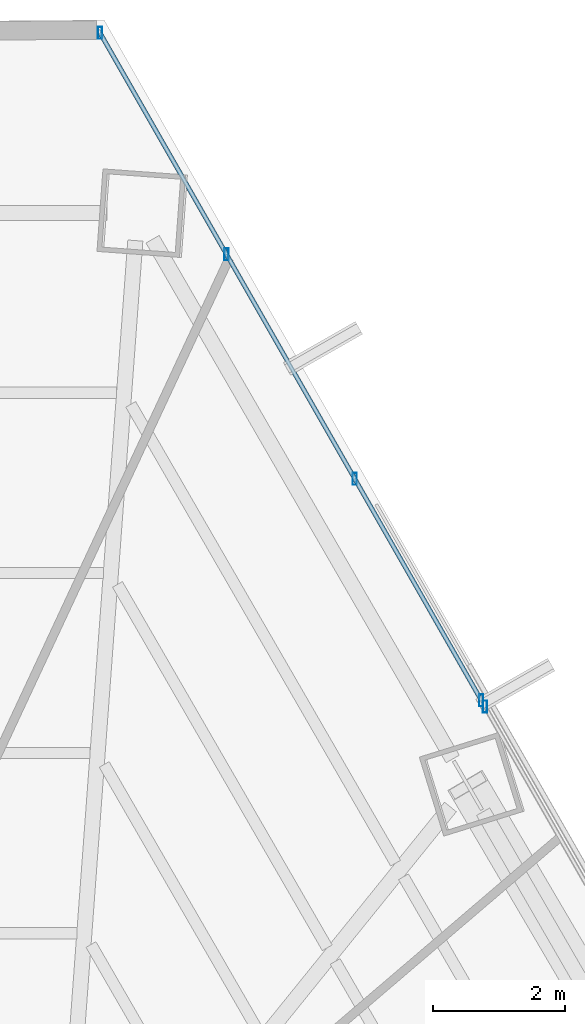
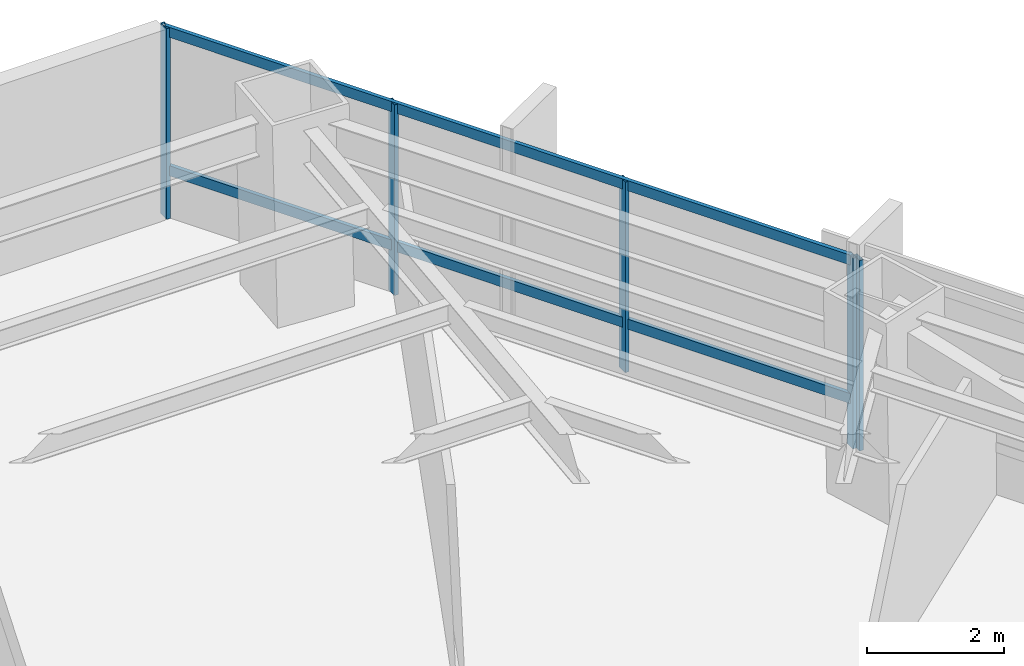
# One storey, part 27 of 34: 7 members, 2 elements without a shape of their own.
"""IFC4 building model written with IfcOpenShell, lengths in metres."""

import ifcopenshell
import ifcopenshell.guid

model = None  # the IFC model being written
_history = None  # IfcOwnerHistory: only IFC2X3 demands one
_inside = {}  # id of a spatial element -> (the spatial element, [elements in it])
_under = {}  # id of a project, library or spatial element -> (it, [spatial elements below it])
_declared = {}  # id of a project -> (the project, [libraries it declares])
_typed = {}  # id of a type object -> (the type object, [elements of that type])
_made_of = {}  # id of a material, layer set ... -> (it, [elements and type objects made of it])


def new_model(schema):
    """Start an empty IFC model of exactly this schema.

    Asked for "IFC4X3", IfcOpenShell would pick the latest addendum, in which some entities
    have other attributes; the version numbers below select the first issue.
    IFC2X3 requires an IfcOwnerHistory on every rooted entity: one is made here for all.
    """
    global model, _history
    if schema == "IFC4X3":
        model = ifcopenshell.file(schema_version=(4, 3, 0, 0))
    else:
        model = ifcopenshell.file(schema=schema)
    _inside.clear()
    _under.clear()
    _declared.clear()
    _typed.clear()
    _made_of.clear()
    _history = None
    if model.schema == "IFC2X3":
        org = make("IfcOrganization", Name="unknown")
        user = make(
            "IfcPersonAndOrganization",
            ThePerson=make("IfcPerson", FamilyName="unknown"),
            TheOrganization=org,
        )
        app = make(
            "IfcApplication",
            ApplicationDeveloper=org,
            Version="unknown",
            ApplicationFullName="unknown",
            ApplicationIdentifier="unknown",
        )
        _history = make(
            "IfcOwnerHistory",
            OwningUser=user,
            OwningApplication=app,
            ChangeAction="ADDED",
            CreationDate=0,
        )
    return model


def make(cls, **values):
    """One entity of the class cls with the attributes given. An attribute that is None is left unset."""
    return model.create_entity(
        cls, **{name: value for name, value in values.items() if value is not None}
    )


def rooted(cls, **values):
    """An entity with a GlobalId (a new one), such as an element, a storey or a relation."""
    return make(cls, GlobalId=ifcopenshell.guid.new(), OwnerHistory=_history, **values)


def si_unit(unit_type, name, prefix=None):
    """IfcSIUnit, for example si_unit("LENGTHUNIT", "METRE", prefix="MILLI")."""
    return make("IfcSIUnit", UnitType=unit_type, Prefix=prefix, Name=name)


def assignment(units):
    """IfcUnitAssignment: the units of a project."""
    return None if units is None else make("IfcUnitAssignment", Units=units)


def point(xyz):
    """IfcCartesianPoint."""
    return None if xyz is None else make("IfcCartesianPoint", Coordinates=xyz)


def direction(xyz):
    """IfcDirection."""
    return None if xyz is None else make("IfcDirection", DirectionRatios=xyz)


def frame(location, z_axis=None, x_axis=None):
    """IfcAxis2Placement3D, a coordinate frame: its origin and axes. An axis left out is left unset."""
    return make(
        "IfcAxis2Placement3D",
        Location=point(location),
        Axis=direction(z_axis),
        RefDirection=direction(x_axis),
    )


def frame_2d(location, x_axis=None):
    """IfcAxis2Placement2D, a coordinate frame in the plane: its origin and x axis."""
    return make(
        "IfcAxis2Placement2D", Location=point(location), RefDirection=direction(x_axis)
    )


def origin():
    """The frame at (0, 0, 0) with its axes left unset."""
    return frame((0.0, 0.0, 0.0))


def origin_2d():
    """The frame at (0, 0) in the plane with its x axis left unset."""
    return frame_2d((0.0, 0.0))


def place(relative_to, where):
    """IfcLocalPlacement: puts the frame where relative to a parent placement (None: the world)."""
    return make(
        "IfcLocalPlacement", PlacementRelTo=relative_to, RelativePlacement=where
    )


def context(
    kind, dimensions, precision=None, world=None, true_north=None, identifier=None
):
    """IfcGeometricRepresentationContext, for example the 3D "Model" context."""
    return make(
        "IfcGeometricRepresentationContext",
        ContextIdentifier=identifier,
        ContextType=kind,
        CoordinateSpaceDimension=dimensions,
        Precision=precision,
        WorldCoordinateSystem=world,
        TrueNorth=true_north,
    )


def subcontext(parent, identifier, kind, view, scale=None):
    """IfcGeometricRepresentationSubContext, for example "Body" below "Model"."""
    return make(
        "IfcGeometricRepresentationSubContext",
        ContextIdentifier=identifier,
        ContextType=kind,
        ParentContext=parent,
        TargetScale=scale,
        TargetView=view,
    )


def project(units=None, contexts=None):
    """IfcProject with its units and contexts."""
    return rooted(
        "IfcProject",
        Name="project",
        RepresentationContexts=contexts,
        UnitsInContext=assignment(units),
    )


def spatial(cls, under=None, at=None, **own):
    """A site, building, storey or space (cls), placed at a placement, below another one or the project."""
    s = rooted(cls, ObjectPlacement=at, **own)
    if under is not None:
        _under.setdefault(under.id(), (under, []))[1].append(s)
    return s


def profile(cls, at=None, kind="AREA", **sizes):
    """A parametric profile (cls). Its sizes go by their IFC names, for example OverallWidth=200.0."""
    return make(cls, ProfileType=kind, Position=at, **sizes)


def hollow_rectangle(**sizes):
    """IfcRectangleHollowProfileDef."""
    return profile("IfcRectangleHollowProfileDef", **sizes)


def extrude(swept, where, along, depth):
    """IfcExtrudedAreaSolid: the profile swept, set in the frame where, extruded along a direction by depth."""
    return make(
        "IfcExtrudedAreaSolid",
        SweptArea=swept,
        Position=where,
        ExtrudedDirection=direction(along),
        Depth=depth,
    )


def shape(context_of_items, identifier, shape_type, items):
    """IfcShapeRepresentation: the items that make up one representation, for example the "Body"."""
    return make(
        "IfcShapeRepresentation",
        ContextOfItems=context_of_items,
        RepresentationIdentifier=identifier,
        RepresentationType=shape_type,
        Items=items,
    )


def source(mapping_origin, context_of_items, identifier, shape_type, items):
    """IfcRepresentationMap: a shape defined once, which mapped items show again and again."""
    return make(
        "IfcRepresentationMap",
        MappingOrigin=mapping_origin,
        MappedRepresentation=shape(context_of_items, identifier, shape_type, items),
    )


def transform(
    local_origin,
    x_axis=None,
    y_axis=None,
    z_axis=None,
    scale=None,
    scale2=None,
    scale3=None,
    uniform=True,
):
    """IfcCartesianTransformationOperator3D, or its non-uniform kind. x_axis, y_axis, z_axis: its Axis1, 2, 3."""
    if uniform:
        return make(
            "IfcCartesianTransformationOperator3D",
            Axis1=direction(x_axis),
            Axis2=direction(y_axis),
            LocalOrigin=point(local_origin),
            Scale=scale,
            Axis3=direction(z_axis),
        )
    return make(
        "IfcCartesianTransformationOperator3DnonUniform",
        Axis1=direction(x_axis),
        Axis2=direction(y_axis),
        LocalOrigin=point(local_origin),
        Scale=scale,
        Axis3=direction(z_axis),
        Scale2=scale2,
        Scale3=scale3,
    )


def mapped(mapping_source, mapping_target):
    """IfcMappedItem: shows the shape of a source again, moved by a transform."""
    return make(
        "IfcMappedItem", MappingSource=mapping_source, MappingTarget=mapping_target
    )


def material(Name=None, Category=None):
    """IfcMaterial."""
    return make("IfcMaterial", Name=Name, Category=Category)


def material_profile(
    of_material, cross_section, Name=None, Category=None, Priority=None
):
    """IfcMaterialProfile: a cross section and its material."""
    return make(
        "IfcMaterialProfile",
        Name=Name,
        Material=of_material,
        Profile=cross_section,
        Priority=Priority,
        Category=Category,
    )


def profile_set(profiles, Name=None, composite=None):
    """IfcMaterialProfileSet."""
    return make(
        "IfcMaterialProfileSet",
        Name=Name,
        MaterialProfiles=profiles,
        CompositeProfile=composite,
    )


def made_of(thing, what):
    """Note that an element or type object is made of a material, layer set ...; save() writes the relation."""
    if what is not None:
        _made_of.setdefault(what.id(), (what, []))[1].append(thing)
    return thing


def type_object(cls, material=None, **own):
    """A type object (cls), such as IfcWallType, which elements share."""
    return made_of(rooted(cls, **own), material)


def type_shapes(of_type, sources):
    """Give a type object the sources (RepresentationMaps) that its elements show as mapped items."""
    of_type.RepresentationMaps = sources


def element(
    cls,
    number,
    at=None,
    inside=None,
    cuts=None,
    type_object=None,
    material=None,
    context=None,
    identifier="Body",
    shape_type=None,
    held_by="IfcProductDefinitionShape",
    body=None,
    shapes=None,
    **own,
):
    """One element of the class cls, such as IfcWall. Its Tag is "e" and its number.

    at: its placement. inside: the storey or other place that contains it. cuts: it is an
    opening in that element (IfcRelVoidsElement). A single representation is given by context,
    identifier, shape_type and body (its items); several are given by shapes. held_by: the class
    of the entity that holds the representations. save() writes the other relations.
    """
    e = rooted(cls, Tag="e%d" % number, ObjectPlacement=at, **own)
    if body is not None:
        shapes = [shape(context, identifier, shape_type, body)]
    if shapes is not None:
        e.Representation = make(held_by, Representations=shapes)
    if inside is not None:
        _inside.setdefault(inside.id(), (inside, []))[1].append(e)
    if cuts is not None:
        rooted(
            "IfcRelVoidsElement", RelatingBuildingElement=cuts, RelatedOpeningElement=e
        )
    if type_object is not None:
        _typed.setdefault(type_object.id(), (type_object, []))[1].append(e)
    return made_of(e, material)


def aggregate(whole, parts):
    """IfcRelAggregates: a whole, such as a stair, and the parts it consists of."""
    return rooted("IfcRelAggregates", RelatingObject=whole, RelatedObjects=parts)


def save(model, path):
    """Write the relations noted so far, then the file.

    IfcRelAggregates (storeys below a building ...), IfcRelContainedInSpatialStructure (elements
    in a storey), IfcRelDefinesByType, IfcRelAssociatesMaterial and IfcRelDeclares: one each for
    every whole, place, type object, material and project.
    """
    for whole, parts in _under.values():
        aggregate(whole, parts)
    for where, things in _inside.values():
        rooted(
            "IfcRelContainedInSpatialStructure",
            RelatedElements=things,
            RelatingStructure=where,
        )
    for kind, things in _typed.values():
        rooted("IfcRelDefinesByType", RelatedObjects=things, RelatingType=kind)
    for what, things in _made_of.values():
        rooted("IfcRelAssociatesMaterial", RelatedObjects=things, RelatingMaterial=what)
    for by, libraries in _declared.values():
        rooted("IfcRelDeclares", RelatingContext=by, RelatedDefinitions=libraries)
    model.write(path)


model = new_model("IFC4")

# Units and contexts
model_context = context("Model", 3, precision=1e-05, world=origin(), true_north=direction((0.0, 1.0)))
body_context = subcontext(model_context, "Body", "Model", "MODEL_VIEW")
ifc_project = project(units=[si_unit("LENGTHUNIT", "METRE"), si_unit("AREAUNIT", "SQUARE_METRE"), si_unit("VOLUMEUNIT", "CUBIC_METRE"), si_unit("PLANEANGLEUNIT", "RADIAN"), si_unit("MASSUNIT", "GRAM", prefix="KILO")], contexts=[model_context])

# Site, building, storey
site_placement = place(None, origin())
site = spatial("IfcSite", under=ifc_project, at=site_placement, CompositionType="ELEMENT")
building_placement = place(site_placement, origin())
building = spatial("IfcBuilding", under=site, at=building_placement, Name="Caelisora Broadcast Tower", CompositionType="ELEMENT")
storey_placement = place(building_placement, frame((0.0, 0.0, 49.5)))
storey = spatial("IfcBuildingStorey", under=building, at=storey_placement, Name="L12", CompositionType="ELEMENT", Elevation=49.5)

# Curtain wall, members
ifc_material_1 = material(Name="Unitised Aluminium and Low-E Glass Curtain Wall", Category="glass")
curtain_wall_type_1 = type_object("IfcCurtainWallType", Name="CW-Z1", PredefinedType="NOTDEFINED", material=ifc_material_1)
curtain_wall_1_placement = place(storey_placement, origin())
curtain_wall_1 = element("IfcCurtainWall", 1, at=curtain_wall_1_placement, inside=storey, type_object=curtain_wall_type_1, Name="L12 curtain wall CW-Z1", PredefinedType="NOTDEFINED")
ifc_material_2 = material(Name="Aluminium 6063-T6 Anodised Terracotta Bronze", Category="aluminium")
ifc_material_profile_1 = material_profile(ifc_material_2, hollow_rectangle(XDim=0.06494140625, YDim=0.179931640625, WallThickness=0.00341796875, at=origin_2d()), Name="Aluminium 6063-T6 Anodised Terracotta Bronze")
ifc_profile_set_1 = profile_set([ifc_material_profile_1], Name="Aluminium 6063-T6 Anodised Terracotta Bronze")
member_type_1 = type_object("IfcMemberType", Name="CWM-02", PredefinedType="MULLION", material=ifc_profile_set_1)
shared_shape_1 = source(origin(), body_context, "Body", "SweptSolid", [
    extrude(hollow_rectangle(XDim=0.06494140625, YDim=0.179931640625, WallThickness=0.00341796875, at=origin_2d()), origin(), (0.0, 0.0, 1.0), 3.39990234375),
])
type_shapes(member_type_1, [shared_shape_1])
member_1_placement = place(storey_placement, frame((46.13671875, 49.03564453125, 0.0), z_axis=(0.0, 0.0, 1.0), x_axis=(1.0, 0.0, 0.0)))
member_1 = element("IfcMember", 2, at=member_1_placement, type_object=member_type_1, Name="L12-CW-B01 mullion #0", PredefinedType="MULLION", context=body_context, shape_type="MappedRepresentation", body=[
    mapped(shared_shape_1, transform((0.0, 0.0, 0.0), scale=1.0)),
])
member_2_placement = place(storey_placement, frame((48.04833984375, 45.689697265625, 0.0), z_axis=(0.0, 0.0, 1.0), x_axis=(1.0, 0.0, 0.0)))
member_2 = element("IfcMember", 3, at=member_2_placement, type_object=member_type_1, Name="L12-CW-B01 mullion #1", PredefinedType="MULLION", context=body_context, shape_type="MappedRepresentation", body=[
    mapped(shared_shape_1, transform((0.0, 0.0, 0.0), scale=1.0)),
])
member_3_placement = place(storey_placement, frame((49.98486328125, 42.30029296875, 0.0), z_axis=(0.0, 0.0, 1.0), x_axis=(1.0, 0.0, 0.0)))
member_3 = element("IfcMember", 4, at=member_3_placement, type_object=member_type_1, Name="L12-CW-B01 mullion #2", PredefinedType="MULLION", context=body_context, shape_type="MappedRepresentation", body=[
    mapped(shared_shape_1, transform((0.0, 0.0, 0.0), scale=1.0)),
])
member_4_placement = place(storey_placement, frame((51.896484375, 38.9541015625, 0.0), z_axis=(0.0, 0.0, 1.0), x_axis=(1.0, 0.0, 0.0)))
member_4 = element("IfcMember", 5, at=member_4_placement, type_object=member_type_1, Name="L12-CW-B01 mullion #3", PredefinedType="MULLION", context=body_context, shape_type="MappedRepresentation", body=[
    mapped(shared_shape_1, transform((0.0, 0.0, 0.0), scale=1.0)),
])

# Curtain wall, member
ifc_material_3 = material(Name="Unitised Aluminium Insulated Shadow-Box Spandrel Curtain Wall", Category="aluminium")
curtain_wall_type_2 = type_object("IfcCurtainWallType", Name="CW-SP1", PredefinedType="NOTDEFINED", material=ifc_material_3)
curtain_wall_2_placement = place(storey_placement, origin())
curtain_wall_2 = element("IfcCurtainWall", 6, at=curtain_wall_2_placement, inside=storey, type_object=curtain_wall_type_2, Name="L12 curtain wall CW-SP1", PredefinedType="NOTDEFINED")
member_5_placement = place(storey_placement, frame((51.950927734375, 38.858642578125, 0.0), z_axis=(0.0, 0.0, 1.0), x_axis=(1.0, 0.0, 0.0)))
member_5 = element("IfcMember", 7, at=member_5_placement, type_object=member_type_1, Name="L12-CW-B02 mullion #0", PredefinedType="MULLION", context=body_context, shape_type="MappedRepresentation", body=[
    mapped(shared_shape_1, transform((0.0, 0.0, 0.0), scale=1.0)),
])
aggregate(curtain_wall_2, [member_5])

# Member
ifc_material_profile_2 = material_profile(ifc_material_2, hollow_rectangle(XDim=0.06494140625, YDim=0.179931640625, WallThickness=0.00341796875, at=origin_2d()), Name="Aluminium 6063-T6 Anodised Terracotta Bronze")
ifc_profile_set_2 = profile_set([ifc_material_profile_2], Name="Aluminium 6063-T6 Anodised Terracotta Bronze")
member_type_2 = type_object("IfcMemberType", Name="CWT-01", PredefinedType="USERDEFINED", material=ifc_profile_set_2)
shared_shape_2 = source(origin(), body_context, "Body", "SweptSolid", [
    extrude(hollow_rectangle(XDim=0.06494140625, YDim=0.179931640625, WallThickness=0.00341796875, at=origin_2d()), origin(), (0.0, 0.0, 1.0), 11.61083984375),
])
type_shapes(member_type_2, [shared_shape_2])
member_6_placement = place(storey_placement, frame((46.13671875, 49.03564453125, 0.85009765625), z_axis=(0.496066474719, -0.868284545907, 0.0), x_axis=(0.868284545907, 0.496066474719, 0.0)))
member_6 = element("IfcMember", 8, at=member_6_placement, type_object=member_type_2, Name="L12-CW-B01 transom #1", ObjectType="TRANSOM", PredefinedType="USERDEFINED", context=body_context, shape_type="MappedRepresentation", body=[
    mapped(shared_shape_2, transform((0.0, 0.0, 0.0), scale=1.0)),
])

member_7_placement = place(storey_placement, frame((46.13671875, 49.03564453125, 3.320068359375), z_axis=(0.496066474719, -0.868284545907, 0.0), x_axis=(0.868284545907, 0.496066474719, 0.0)))
member_7 = element("IfcMember", 9, at=member_7_placement, type_object=member_type_2, Name="L12-CW-B01 transom #2", ObjectType="TRANSOM", PredefinedType="USERDEFINED", context=body_context, shape_type="MappedRepresentation", body=[
    mapped(shared_shape_2, transform((0.0, 0.0, 0.0), scale=1.0)),
])

aggregate(curtain_wall_1, [member_1, member_2, member_3, member_4, member_6, member_7])

save(model, "model.ifc")
